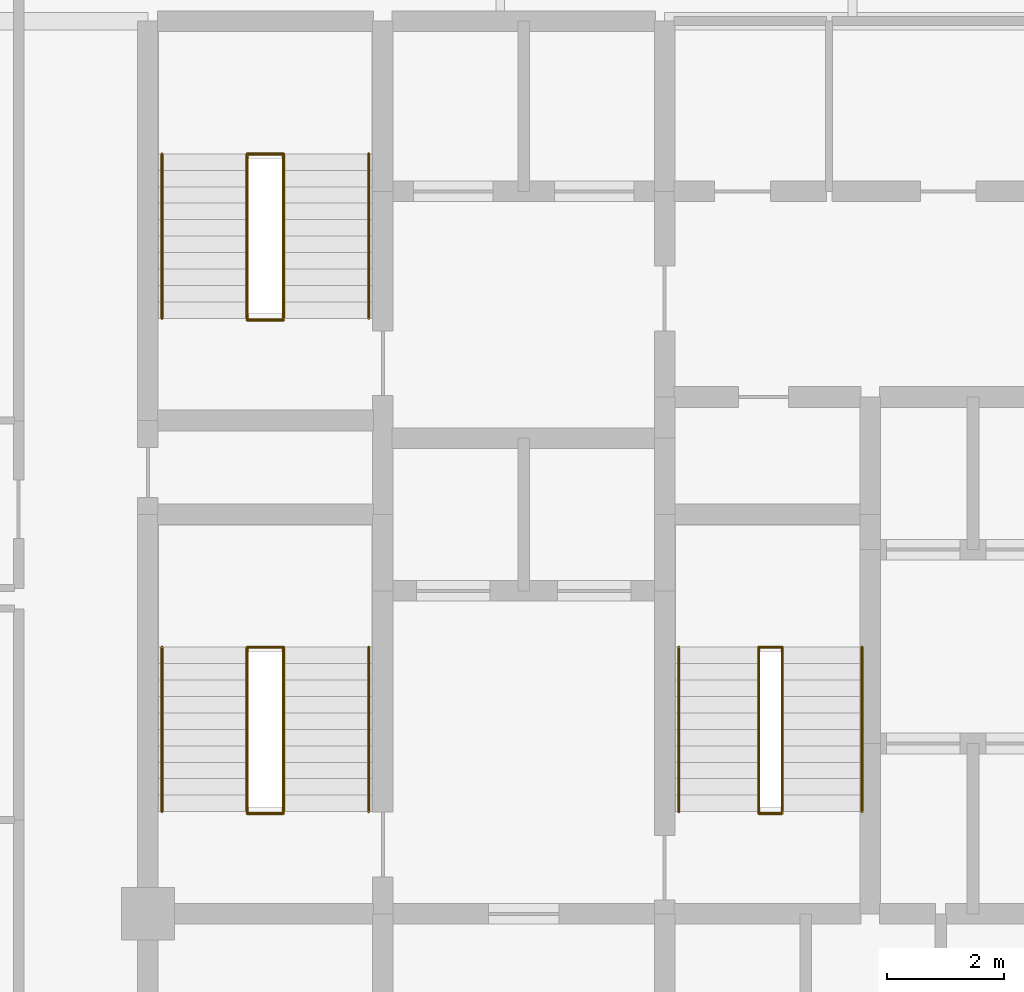
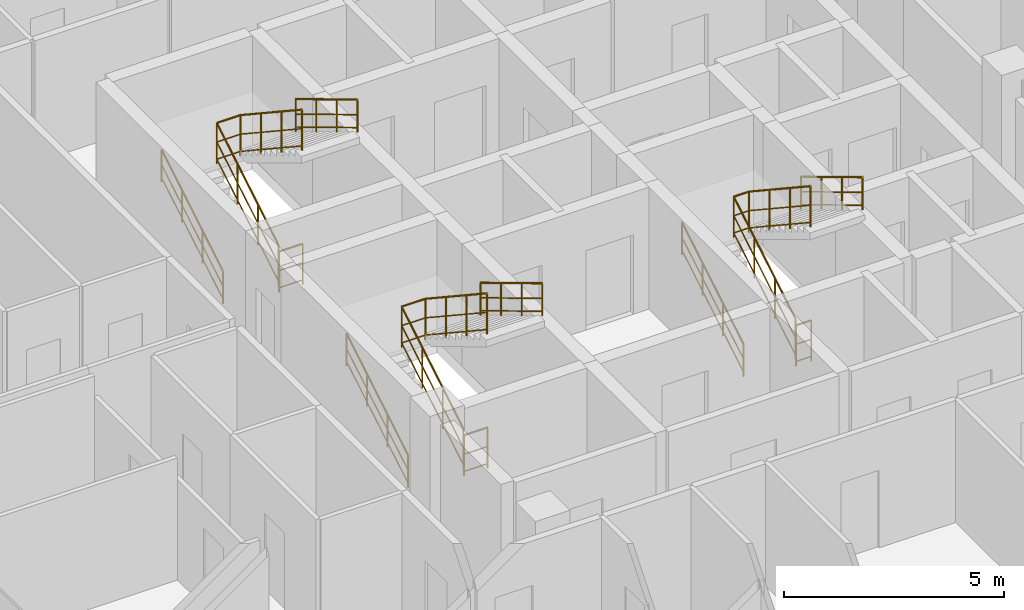
# One storey, part 31 of 31: 12 railings.
"""IFC4 building model written with IfcOpenShell, lengths in metres."""

from ifc_helpers import new_model, si_unit, direction, frame, origin, origin_2d, place, context, subcontext, project, spatial, circle, extrude, material, layer, layer_set, type_object, element, save


model = new_model("IFC4")

# Units and contexts
model_context = context("Model", 3, precision=1e-05, world=origin(), true_north=direction((0.0, 1.0)))
body_context = subcontext(model_context, "Body", "Model", "MODEL_VIEW")
ifc_project = project(units=[si_unit("LENGTHUNIT", "METRE"), si_unit("AREAUNIT", "SQUARE_METRE"), si_unit("VOLUMEUNIT", "CUBIC_METRE"), si_unit("PLANEANGLEUNIT", "RADIAN"), si_unit("MASSUNIT", "GRAM", prefix="KILO")], contexts=[model_context])

# Site, building, storey
site_placement = place(None, origin())
site = spatial("IfcSite", under=ifc_project, at=site_placement, CompositionType="ELEMENT")
building_placement = place(site_placement, origin())
building = spatial("IfcBuilding", under=site, at=building_placement, Name="Keshet Zoharim Tower", CompositionType="ELEMENT")
storey_placement = place(building_placement, frame((0.0, 0.0, 144.60009765625)))
storey = spatial("IfcBuildingStorey", under=building, at=storey_placement, Name="L35", CompositionType="ELEMENT", Elevation=144.60009765625)

# Railings
ifc_material = material(Name="Steel S355", Category="steel")
ifc_layer_1 = layer(ifc_material, 0.050048828125)
ifc_layer_set_1 = layer_set([ifc_layer_1], Name="Steel S355")
railing_type_1 = type_object("IfcRailingType", Name="RL-HND-092", PredefinedType="HANDRAIL", material=ifc_layer_set_1)
railing_1_placement = place(storey_placement, frame((15.239990234375, 24.43994140625, 0.168212890625)))
element("IfcRailing", 1, at=railing_1_placement, inside=storey, type_object=railing_type_1, Name="L35 ST-01 Flight 1 Wall Handrail", PredefinedType="HANDRAIL", context=body_context, shape_type="SweptSolid", body=[
    extrude(circle(Radius=0.02392578125, at=origin_2d()), frame((0.0, 0.0, 0.89599609375), z_axis=(0.0, 0.857275202839, 0.514858452973), x_axis=(-1.0, 0.0, 0.0)), (0.0, 0.0, 1.0), 3.26611328125),
    extrude(circle(Radius=0.01611328125, at=origin_2d()), frame((0.0, 0.0, 0.478271484375), z_axis=(0.0, 0.857275202839, 0.514858452973), x_axis=(-1.0, 0.0, 0.0)), (0.0, 0.0, 1.0), 3.26611328125),
    extrude(circle(Radius=0.01611328125, at=origin_2d()), frame((0.0, 0.0, 0.1201171875), z_axis=(0.0, 0.857275202839, 0.514858452973), x_axis=(-1.0, 0.0, 0.0)), (0.0, 0.0, 1.0), 3.26611328125),
    extrude(circle(Radius=0.02099609375, at=origin_2d()), origin(), (0.0, 0.0, 1.0), 0.871826171875),
    extrude(circle(Radius=0.02099609375, at=origin_2d()), frame((0.0, 0.933349609375, 0.560546875)), (0.0, 0.0, 1.0), 0.871826171875),
    extrude(circle(Radius=0.02099609375, at=origin_2d()), frame((0.0, 1.86669921875, 1.12109375)), (0.0, 0.0, 1.0), 0.871826171875),
    extrude(circle(Radius=0.02099609375, at=origin_2d()), frame((0.0, 2.800048828125, 1.681640625)), (0.0, 0.0, 1.0), 0.871826171875),
])
railing_2_placement = place(storey_placement, frame((18.760009765625, 27.239990234375, 2.01806640625)))
element("IfcRailing", 2, at=railing_2_placement, inside=storey, type_object=railing_type_1, Name="L35 ST-01 Flight 2 Wall Handrail", PredefinedType="HANDRAIL", context=body_context, shape_type="SweptSolid", body=[
    extrude(circle(Radius=0.02392578125, at=origin_2d()), frame((0.0, 0.0, 0.89599609375), z_axis=(0.0, -0.857242210791, 0.514913383045), x_axis=(1.0, 0.0, 0.0)), (0.0, 0.0, 1.0), 3.266357421875),
    extrude(circle(Radius=0.01611328125, at=origin_2d()), frame((0.0, 0.0, 0.478271484375), z_axis=(0.0, -0.857242210791, 0.514913383045), x_axis=(1.0, 0.0, 0.0)), (0.0, 0.0, 1.0), 3.266357421875),
    extrude(circle(Radius=0.01611328125, at=origin_2d()), frame((0.0, 0.0, 0.1201171875), z_axis=(0.0, -0.857242210791, 0.514913383045), x_axis=(1.0, 0.0, 0.0)), (0.0, 0.0, 1.0), 3.266357421875),
    extrude(circle(Radius=0.02099609375, at=origin_2d()), origin(), (0.0, 0.0, 1.0), 0.871826171875),
    extrude(circle(Radius=0.02099609375, at=origin_2d()), frame((0.0, -0.933349609375, 0.560546875)), (0.0, 0.0, 1.0), 0.871826171875),
    extrude(circle(Radius=0.02099609375, at=origin_2d()), frame((0.0, -1.86669921875, 1.121337890625)), (0.0, 0.0, 1.0), 0.871826171875),
    extrude(circle(Radius=0.02099609375, at=origin_2d()), frame((0.0, -2.800048828125, 1.681884765625)), (0.0, 0.0, 1.0), 0.871826171875),
])
railing_3_placement = place(storey_placement, frame((15.239990234375, 32.840087890625, 0.168212890625)))
element("IfcRailing", 3, at=railing_3_placement, inside=storey, type_object=railing_type_1, Name="L35 ST-02 Flight 1 Wall Handrail", PredefinedType="HANDRAIL", context=body_context, shape_type="SweptSolid", body=[
    extrude(circle(Radius=0.02392578125, at=origin_2d()), frame((0.0, 0.0, 0.89599609375), z_axis=(0.0, 0.857255387014, 0.514891446264), x_axis=(-1.0, 0.0, 0.0)), (0.0, 0.0, 1.0), 3.26611328125),
    extrude(circle(Radius=0.01611328125, at=origin_2d()), frame((0.0, 0.0, 0.478271484375), z_axis=(0.0, 0.857255387014, 0.514891446264), x_axis=(-1.0, 0.0, 0.0)), (0.0, 0.0, 1.0), 3.26611328125),
    extrude(circle(Radius=0.01611328125, at=origin_2d()), frame((0.0, 0.0, 0.1201171875), z_axis=(0.0, 0.857255387014, 0.514891446264), x_axis=(-1.0, 0.0, 0.0)), (0.0, 0.0, 1.0), 3.26611328125),
    extrude(circle(Radius=0.02099609375, at=origin_2d()), origin(), (0.0, 0.0, 1.0), 0.871826171875),
    extrude(circle(Radius=0.02099609375, at=origin_2d()), frame((0.0, 0.933349609375, 0.560546875)), (0.0, 0.0, 1.0), 0.871826171875),
    extrude(circle(Radius=0.02099609375, at=origin_2d()), frame((0.0, 1.866455078125, 1.12109375)), (0.0, 0.0, 1.0), 0.871826171875),
    extrude(circle(Radius=0.02099609375, at=origin_2d()), frame((0.0, 2.7998046875, 1.681640625)), (0.0, 0.0, 1.0), 0.871826171875),
])
railing_4_placement = place(storey_placement, frame((18.760009765625, 35.639892578125, 2.01806640625)))
element("IfcRailing", 4, at=railing_4_placement, inside=storey, type_object=railing_type_1, Name="L35 ST-02 Flight 2 Wall Handrail", PredefinedType="HANDRAIL", context=body_context, shape_type="SweptSolid", body=[
    extrude(circle(Radius=0.02392578125, at=origin_2d()), frame((0.0, 0.0, 0.89599609375), z_axis=(0.0, -0.857222391501, 0.514946377315), x_axis=(1.0, 0.0, 0.0)), (0.0, 0.0, 1.0), 3.26611328125),
    extrude(circle(Radius=0.01611328125, at=origin_2d()), frame((0.0, 0.0, 0.478271484375), z_axis=(0.0, -0.857222391501, 0.514946377315), x_axis=(1.0, 0.0, 0.0)), (0.0, 0.0, 1.0), 3.26611328125),
    extrude(circle(Radius=0.01611328125, at=origin_2d()), frame((0.0, 0.0, 0.1201171875), z_axis=(0.0, -0.857222391501, 0.514946377315), x_axis=(1.0, 0.0, 0.0)), (0.0, 0.0, 1.0), 3.26611328125),
    extrude(circle(Radius=0.02099609375, at=origin_2d()), origin(), (0.0, 0.0, 1.0), 0.871826171875),
    extrude(circle(Radius=0.02099609375, at=origin_2d()), frame((0.0, -0.933349609375, 0.560546875)), (0.0, 0.0, 1.0), 0.871826171875),
    extrude(circle(Radius=0.02099609375, at=origin_2d()), frame((0.0, -1.866455078125, 1.121337890625)), (0.0, 0.0, 1.0), 0.871826171875),
    extrude(circle(Radius=0.02099609375, at=origin_2d()), frame((0.0, -2.7998046875, 1.681884765625)), (0.0, 0.0, 1.0), 0.871826171875),
])
railing_5_placement = place(storey_placement, frame((24.0400390625, 24.43994140625, 0.168212890625)))
element("IfcRailing", 5, at=railing_5_placement, inside=storey, type_object=railing_type_1, Name="L35 ST-03 Flight 1 Wall Handrail", PredefinedType="HANDRAIL", context=body_context, shape_type="SweptSolid", body=[
    extrude(circle(Radius=0.02392578125, at=origin_2d()), frame((0.0, 0.0, 0.89599609375), z_axis=(0.0, 0.857275202839, 0.514858452973), x_axis=(-1.0, 0.0, 0.0)), (0.0, 0.0, 1.0), 3.26611328125),
    extrude(circle(Radius=0.01611328125, at=origin_2d()), frame((0.0, 0.0, 0.478271484375), z_axis=(0.0, 0.857275202839, 0.514858452973), x_axis=(-1.0, 0.0, 0.0)), (0.0, 0.0, 1.0), 3.26611328125),
    extrude(circle(Radius=0.01611328125, at=origin_2d()), frame((0.0, 0.0, 0.1201171875), z_axis=(0.0, 0.857275202839, 0.514858452973), x_axis=(-1.0, 0.0, 0.0)), (0.0, 0.0, 1.0), 3.26611328125),
    extrude(circle(Radius=0.02099609375, at=origin_2d()), origin(), (0.0, 0.0, 1.0), 0.871826171875),
    extrude(circle(Radius=0.02099609375, at=origin_2d()), frame((0.0, 0.933349609375, 0.560546875)), (0.0, 0.0, 1.0), 0.871826171875),
    extrude(circle(Radius=0.02099609375, at=origin_2d()), frame((0.0, 1.86669921875, 1.12109375)), (0.0, 0.0, 1.0), 0.871826171875),
    extrude(circle(Radius=0.02099609375, at=origin_2d()), frame((0.0, 2.800048828125, 1.681640625)), (0.0, 0.0, 1.0), 0.871826171875),
])
railing_6_placement = place(storey_placement, frame((27.159912109375, 27.239990234375, 2.01806640625)))
element("IfcRailing", 6, at=railing_6_placement, inside=storey, type_object=railing_type_1, Name="L35 ST-03 Flight 2 Wall Handrail", PredefinedType="HANDRAIL", context=body_context, shape_type="SweptSolid", body=[
    extrude(circle(Radius=0.02392578125, at=origin_2d()), frame((0.0, 0.0, 0.89599609375), z_axis=(0.0, -0.857242210791, 0.514913383045), x_axis=(1.0, 0.0, 0.0)), (0.0, 0.0, 1.0), 3.266357421875),
    extrude(circle(Radius=0.01611328125, at=origin_2d()), frame((0.0, 0.0, 0.478271484375), z_axis=(0.0, -0.857242210791, 0.514913383045), x_axis=(1.0, 0.0, 0.0)), (0.0, 0.0, 1.0), 3.266357421875),
    extrude(circle(Radius=0.01611328125, at=origin_2d()), frame((0.0, 0.0, 0.1201171875), z_axis=(0.0, -0.857242210791, 0.514913383045), x_axis=(1.0, 0.0, 0.0)), (0.0, 0.0, 1.0), 3.266357421875),
    extrude(circle(Radius=0.02099609375, at=origin_2d()), origin(), (0.0, 0.0, 1.0), 0.871826171875),
    extrude(circle(Radius=0.02099609375, at=origin_2d()), frame((0.0, -0.933349609375, 0.560546875)), (0.0, 0.0, 1.0), 0.871826171875),
    extrude(circle(Radius=0.02099609375, at=origin_2d()), frame((0.0, -1.86669921875, 1.121337890625)), (0.0, 0.0, 1.0), 0.871826171875),
    extrude(circle(Radius=0.02099609375, at=origin_2d()), frame((0.0, -2.800048828125, 1.681884765625)), (0.0, 0.0, 1.0), 0.871826171875),
])
ifc_layer_2 = layer(ifc_material, 0.06005859375)
ifc_layer_set_2 = layer_set([ifc_layer_2], Name="Steel S355")
railing_type_2 = type_object("IfcRailingType", Name="RL-STG-115", PredefinedType="GUARDRAIL", material=ifc_layer_set_2)
railing_7_placement = place(storey_placement, frame((16.68994140625, 24.43994140625, 0.168212890625)))
element("IfcRailing", 7, at=railing_7_placement, inside=storey, type_object=railing_type_2, Name="L35 ST-01 Inner Well Guardrail", PredefinedType="GUARDRAIL", context=body_context, shape_type="SweptSolid", body=[
    extrude(circle(Radius=0.02392578125, at=origin_2d()), frame((0.0, 0.0, 1.1259765625), z_axis=(0.0, 0.857275202839, 0.514858452973), x_axis=(-1.0, 0.0, 0.0)), (0.0, 0.0, 1.0), 3.26611328125),
    extrude(circle(Radius=0.01611328125, at=origin_2d()), frame((0.0, 0.0, 0.597900390625), z_axis=(0.0, 0.857275202839, 0.514858452973), x_axis=(-1.0, 0.0, 0.0)), (0.0, 0.0, 1.0), 3.26611328125),
    extrude(circle(Radius=0.01611328125, at=origin_2d()), frame((0.0, 0.0, 0.1201171875), z_axis=(0.0, 0.857275202839, 0.514858452973), x_axis=(-1.0, 0.0, 0.0)), (0.0, 0.0, 1.0), 3.26611328125),
    extrude(circle(Radius=0.02392578125, at=origin_2d()), frame((0.0, 2.800048828125, 2.8076171875), z_axis=(1.0, 0.0, 0.0), x_axis=(0.0, 1.0, 0.0)), (0.0, 0.0, 1.0), 0.6201171875),
    extrude(circle(Radius=0.01611328125, at=origin_2d()), frame((0.0, 2.800048828125, 2.279541015625), z_axis=(1.0, 0.0, 0.0), x_axis=(0.0, 1.0, 0.0)), (0.0, 0.0, 1.0), 0.6201171875),
    extrude(circle(Radius=0.01611328125, at=origin_2d()), frame((0.0, 2.800048828125, 1.8017578125), z_axis=(1.0, 0.0, 0.0), x_axis=(0.0, 1.0, 0.0)), (0.0, 0.0, 1.0), 0.6201171875),
    extrude(circle(Radius=0.02392578125, at=origin_2d()), frame((0.6201171875, 2.800048828125, 2.8076171875), z_axis=(0.0, -0.834326358476, 0.551270829586), x_axis=(1.0, 0.0, 0.0)), (0.0, 0.0, 1.0), 3.35595703125),
    extrude(circle(Radius=0.01611328125, at=origin_2d()), frame((0.6201171875, 2.800048828125, 2.279541015625), z_axis=(0.0, -0.834326358476, 0.551270829586), x_axis=(1.0, 0.0, 0.0)), (0.0, 0.0, 1.0), 3.35595703125),
    extrude(circle(Radius=0.01611328125, at=origin_2d()), frame((0.6201171875, 2.800048828125, 1.8017578125), z_axis=(0.0, -0.834326358476, 0.551270829586), x_axis=(1.0, 0.0, 0.0)), (0.0, 0.0, 1.0), 3.35595703125),
    extrude(circle(Radius=0.02099609375, at=origin_2d()), origin(), (0.0, 0.0, 1.0), 1.101806640625),
    extrude(circle(Radius=0.02099609375, at=origin_2d()), frame((0.0, 0.933349609375, 0.560546875)), (0.0, 0.0, 1.0), 1.101806640625),
    extrude(circle(Radius=0.02099609375, at=origin_2d()), frame((0.0, 1.86669921875, 1.12109375)), (0.0, 0.0, 1.0), 1.101806640625),
    extrude(circle(Radius=0.02099609375, at=origin_2d()), frame((0.0, 2.800048828125, 1.681640625)), (0.0, 0.0, 1.0), 1.101806640625),
    extrude(circle(Radius=0.02099609375, at=origin_2d()), frame((0.6201171875, 2.800048828125, 1.681640625)), (0.0, 0.0, 1.0), 1.101806640625),
    extrude(circle(Radius=0.02099609375, at=origin_2d()), frame((0.6201171875, 1.86669921875, 2.29833984375)), (0.0, 0.0, 1.0), 1.101806640625),
    extrude(circle(Radius=0.02099609375, at=origin_2d()), frame((0.6201171875, 0.933349609375, 2.9150390625)), (0.0, 0.0, 1.0), 1.101806640625),
    extrude(circle(Radius=0.02099609375, at=origin_2d()), frame((0.6201171875, 0.0, 3.53173828125)), (0.0, 0.0, 1.0), 1.101806640625),
])
railing_8_placement = place(storey_placement, frame((16.68994140625, 24.409912109375, 0.0)))
element("IfcRailing", 8, at=railing_8_placement, inside=storey, type_object=railing_type_2, Name="L35 ST-01 Stairwell Floor Guardrail", PredefinedType="GUARDRAIL", context=body_context, shape_type="SweptSolid", body=[
    extrude(circle(Radius=0.02392578125, at=origin_2d()), frame((0.0, 0.0, 1.1259765625), z_axis=(1.0, 0.0, 0.0), x_axis=(0.0, 1.0, 0.0)), (0.0, 0.0, 1.0), 0.6201171875),
    extrude(circle(Radius=0.01611328125, at=origin_2d()), frame((0.0, 0.0, 0.597900390625), z_axis=(1.0, 0.0, 0.0), x_axis=(0.0, 1.0, 0.0)), (0.0, 0.0, 1.0), 0.6201171875),
    extrude(circle(Radius=0.01611328125, at=origin_2d()), frame((0.0, 0.0, 0.1201171875), z_axis=(1.0, 0.0, 0.0), x_axis=(0.0, 1.0, 0.0)), (0.0, 0.0, 1.0), 0.6201171875),
    extrude(circle(Radius=0.02099609375, at=origin_2d()), origin(), (0.0, 0.0, 1.0), 1.101806640625),
    extrude(circle(Radius=0.02099609375, at=origin_2d()), frame((0.6201171875, 0.0, 0.0)), (0.0, 0.0, 1.0), 1.101806640625),
])
railing_9_placement = place(storey_placement, frame((16.68994140625, 32.840087890625, 0.168212890625)))
element("IfcRailing", 9, at=railing_9_placement, inside=storey, type_object=railing_type_2, Name="L35 ST-02 Inner Well Guardrail", PredefinedType="GUARDRAIL", context=body_context, shape_type="SweptSolid", body=[
    extrude(circle(Radius=0.02392578125, at=origin_2d()), frame((0.0, 0.0, 1.1259765625), z_axis=(0.0, 0.857255387014, 0.514891446264), x_axis=(-1.0, 0.0, 0.0)), (0.0, 0.0, 1.0), 3.26611328125),
    extrude(circle(Radius=0.01611328125, at=origin_2d()), frame((0.0, 0.0, 0.597900390625), z_axis=(0.0, 0.857255387014, 0.514891446264), x_axis=(-1.0, 0.0, 0.0)), (0.0, 0.0, 1.0), 3.26611328125),
    extrude(circle(Radius=0.01611328125, at=origin_2d()), frame((0.0, 0.0, 0.1201171875), z_axis=(0.0, 0.857255387014, 0.514891446264), x_axis=(-1.0, 0.0, 0.0)), (0.0, 0.0, 1.0), 3.26611328125),
    extrude(circle(Radius=0.02392578125, at=origin_2d()), frame((0.0, 2.7998046875, 2.8076171875), z_axis=(1.0, 0.0, 0.0), x_axis=(0.0, 1.0, 0.0)), (0.0, 0.0, 1.0), 0.6201171875),
    extrude(circle(Radius=0.01611328125, at=origin_2d()), frame((0.0, 2.7998046875, 2.279541015625), z_axis=(1.0, 0.0, 0.0), x_axis=(0.0, 1.0, 0.0)), (0.0, 0.0, 1.0), 0.6201171875),
    extrude(circle(Radius=0.01611328125, at=origin_2d()), frame((0.0, 2.7998046875, 1.8017578125), z_axis=(1.0, 0.0, 0.0), x_axis=(0.0, 1.0, 0.0)), (0.0, 0.0, 1.0), 0.6201171875),
    extrude(circle(Radius=0.02392578125, at=origin_2d()), frame((0.6201171875, 2.7998046875, 2.8076171875), z_axis=(0.0, -0.834304248922, 0.551304290053), x_axis=(1.0, 0.0, 0.0)), (0.0, 0.0, 1.0), 3.35595703125),
    extrude(circle(Radius=0.01611328125, at=origin_2d()), frame((0.6201171875, 2.7998046875, 2.279541015625), z_axis=(0.0, -0.834304248922, 0.551304290053), x_axis=(1.0, 0.0, 0.0)), (0.0, 0.0, 1.0), 3.35595703125),
    extrude(circle(Radius=0.01611328125, at=origin_2d()), frame((0.6201171875, 2.7998046875, 1.8017578125), z_axis=(0.0, -0.834304248922, 0.551304290053), x_axis=(1.0, 0.0, 0.0)), (0.0, 0.0, 1.0), 3.35595703125),
    extrude(circle(Radius=0.02099609375, at=origin_2d()), origin(), (0.0, 0.0, 1.0), 1.101806640625),
    extrude(circle(Radius=0.02099609375, at=origin_2d()), frame((0.0, 0.933349609375, 0.560546875)), (0.0, 0.0, 1.0), 1.101806640625),
    extrude(circle(Radius=0.02099609375, at=origin_2d()), frame((0.0, 1.866455078125, 1.12109375)), (0.0, 0.0, 1.0), 1.101806640625),
    extrude(circle(Radius=0.02099609375, at=origin_2d()), frame((0.0, 2.7998046875, 1.681640625)), (0.0, 0.0, 1.0), 1.101806640625),
    extrude(circle(Radius=0.02099609375, at=origin_2d()), frame((0.6201171875, 2.7998046875, 1.681640625)), (0.0, 0.0, 1.0), 1.101806640625),
    extrude(circle(Radius=0.02099609375, at=origin_2d()), frame((0.6201171875, 1.866455078125, 2.29833984375)), (0.0, 0.0, 1.0), 1.101806640625),
    extrude(circle(Radius=0.02099609375, at=origin_2d()), frame((0.6201171875, 0.933349609375, 2.9150390625)), (0.0, 0.0, 1.0), 1.101806640625),
    extrude(circle(Radius=0.02099609375, at=origin_2d()), frame((0.6201171875, 0.0, 3.53173828125)), (0.0, 0.0, 1.0), 1.101806640625),
])
railing_10_placement = place(storey_placement, frame((16.68994140625, 32.81005859375, 0.0)))
element("IfcRailing", 10, at=railing_10_placement, inside=storey, type_object=railing_type_2, Name="L35 ST-02 Stairwell Floor Guardrail", PredefinedType="GUARDRAIL", context=body_context, shape_type="SweptSolid", body=[
    extrude(circle(Radius=0.02392578125, at=origin_2d()), frame((0.0, 0.0, 1.1259765625), z_axis=(1.0, 0.0, 0.0), x_axis=(0.0, 1.0, 0.0)), (0.0, 0.0, 1.0), 0.6201171875),
    extrude(circle(Radius=0.01611328125, at=origin_2d()), frame((0.0, 0.0, 0.597900390625), z_axis=(1.0, 0.0, 0.0), x_axis=(0.0, 1.0, 0.0)), (0.0, 0.0, 1.0), 0.6201171875),
    extrude(circle(Radius=0.01611328125, at=origin_2d()), frame((0.0, 0.0, 0.1201171875), z_axis=(1.0, 0.0, 0.0), x_axis=(0.0, 1.0, 0.0)), (0.0, 0.0, 1.0), 0.6201171875),
    extrude(circle(Radius=0.02099609375, at=origin_2d()), origin(), (0.0, 0.0, 1.0), 1.101806640625),
    extrude(circle(Radius=0.02099609375, at=origin_2d()), frame((0.6201171875, 0.0, 0.0)), (0.0, 0.0, 1.0), 1.101806640625),
])
railing_11_placement = place(storey_placement, frame((25.39990234375, 24.43994140625, 0.168212890625)))
element("IfcRailing", 11, at=railing_11_placement, inside=storey, type_object=railing_type_2, Name="L35 ST-03 Inner Well Guardrail", PredefinedType="GUARDRAIL", context=body_context, shape_type="SweptSolid", body=[
    extrude(circle(Radius=0.02392578125, at=origin_2d()), frame((0.0, 0.0, 1.1259765625), z_axis=(0.0, 0.857275202839, 0.514858452973), x_axis=(-1.0, 0.0, 0.0)), (0.0, 0.0, 1.0), 3.26611328125),
    extrude(circle(Radius=0.01611328125, at=origin_2d()), frame((0.0, 0.0, 0.597900390625), z_axis=(0.0, 0.857275202839, 0.514858452973), x_axis=(-1.0, 0.0, 0.0)), (0.0, 0.0, 1.0), 3.26611328125),
    extrude(circle(Radius=0.01611328125, at=origin_2d()), frame((0.0, 0.0, 0.1201171875), z_axis=(0.0, 0.857275202839, 0.514858452973), x_axis=(-1.0, 0.0, 0.0)), (0.0, 0.0, 1.0), 3.26611328125),
    extrude(circle(Radius=0.02392578125, at=origin_2d()), frame((0.0, 2.800048828125, 2.8076171875), z_axis=(1.0, 0.0, 0.0), x_axis=(0.0, 1.0, 0.0)), (0.0, 0.0, 1.0), 0.400146484375),
    extrude(circle(Radius=0.01611328125, at=origin_2d()), frame((0.0, 2.800048828125, 2.279541015625), z_axis=(1.0, 0.0, 0.0), x_axis=(0.0, 1.0, 0.0)), (0.0, 0.0, 1.0), 0.400146484375),
    extrude(circle(Radius=0.01611328125, at=origin_2d()), frame((0.0, 2.800048828125, 1.8017578125), z_axis=(1.0, 0.0, 0.0), x_axis=(0.0, 1.0, 0.0)), (0.0, 0.0, 1.0), 0.400146484375),
    extrude(circle(Radius=0.02392578125, at=origin_2d()), frame((0.400146484375, 2.800048828125, 2.8076171875), z_axis=(0.0, -0.834326358476, 0.551270829586), x_axis=(1.0, 0.0, 0.0)), (0.0, 0.0, 1.0), 3.35595703125),
    extrude(circle(Radius=0.01611328125, at=origin_2d()), frame((0.400146484375, 2.800048828125, 2.279541015625), z_axis=(0.0, -0.834326358476, 0.551270829586), x_axis=(1.0, 0.0, 0.0)), (0.0, 0.0, 1.0), 3.35595703125),
    extrude(circle(Radius=0.01611328125, at=origin_2d()), frame((0.400146484375, 2.800048828125, 1.8017578125), z_axis=(0.0, -0.834326358476, 0.551270829586), x_axis=(1.0, 0.0, 0.0)), (0.0, 0.0, 1.0), 3.35595703125),
    extrude(circle(Radius=0.02099609375, at=origin_2d()), origin(), (0.0, 0.0, 1.0), 1.101806640625),
    extrude(circle(Radius=0.02099609375, at=origin_2d()), frame((0.0, 0.933349609375, 0.560546875)), (0.0, 0.0, 1.0), 1.101806640625),
    extrude(circle(Radius=0.02099609375, at=origin_2d()), frame((0.0, 1.86669921875, 1.12109375)), (0.0, 0.0, 1.0), 1.101806640625),
    extrude(circle(Radius=0.02099609375, at=origin_2d()), frame((0.0, 2.800048828125, 1.681640625)), (0.0, 0.0, 1.0), 1.101806640625),
    extrude(circle(Radius=0.02099609375, at=origin_2d()), frame((0.400146484375, 2.800048828125, 1.681640625)), (0.0, 0.0, 1.0), 1.101806640625),
    extrude(circle(Radius=0.02099609375, at=origin_2d()), frame((0.400146484375, 1.86669921875, 2.29833984375)), (0.0, 0.0, 1.0), 1.101806640625),
    extrude(circle(Radius=0.02099609375, at=origin_2d()), frame((0.400146484375, 0.933349609375, 2.9150390625)), (0.0, 0.0, 1.0), 1.101806640625),
    extrude(circle(Radius=0.02099609375, at=origin_2d()), frame((0.400146484375, 0.0, 3.53173828125)), (0.0, 0.0, 1.0), 1.101806640625),
])
railing_12_placement = place(storey_placement, frame((25.39990234375, 24.409912109375, 0.0)))
element("IfcRailing", 12, at=railing_12_placement, inside=storey, type_object=railing_type_2, Name="L35 ST-03 Stairwell Floor Guardrail", PredefinedType="GUARDRAIL", context=body_context, shape_type="SweptSolid", body=[
    extrude(circle(Radius=0.02392578125, at=origin_2d()), frame((0.0, 0.0, 1.1259765625), z_axis=(1.0, 0.0, 0.0), x_axis=(0.0, 1.0, 0.0)), (0.0, 0.0, 1.0), 0.400146484375),
    extrude(circle(Radius=0.01611328125, at=origin_2d()), frame((0.0, 0.0, 0.597900390625), z_axis=(1.0, 0.0, 0.0), x_axis=(0.0, 1.0, 0.0)), (0.0, 0.0, 1.0), 0.400146484375),
    extrude(circle(Radius=0.01611328125, at=origin_2d()), frame((0.0, 0.0, 0.1201171875), z_axis=(1.0, 0.0, 0.0), x_axis=(0.0, 1.0, 0.0)), (0.0, 0.0, 1.0), 0.400146484375),
    extrude(circle(Radius=0.02099609375, at=origin_2d()), origin(), (0.0, 0.0, 1.0), 1.101806640625),
    extrude(circle(Radius=0.02099609375, at=origin_2d()), frame((0.400146484375, 0.0, 0.0)), (0.0, 0.0, 1.0), 1.101806640625),
])

save(model, "model.ifc")
